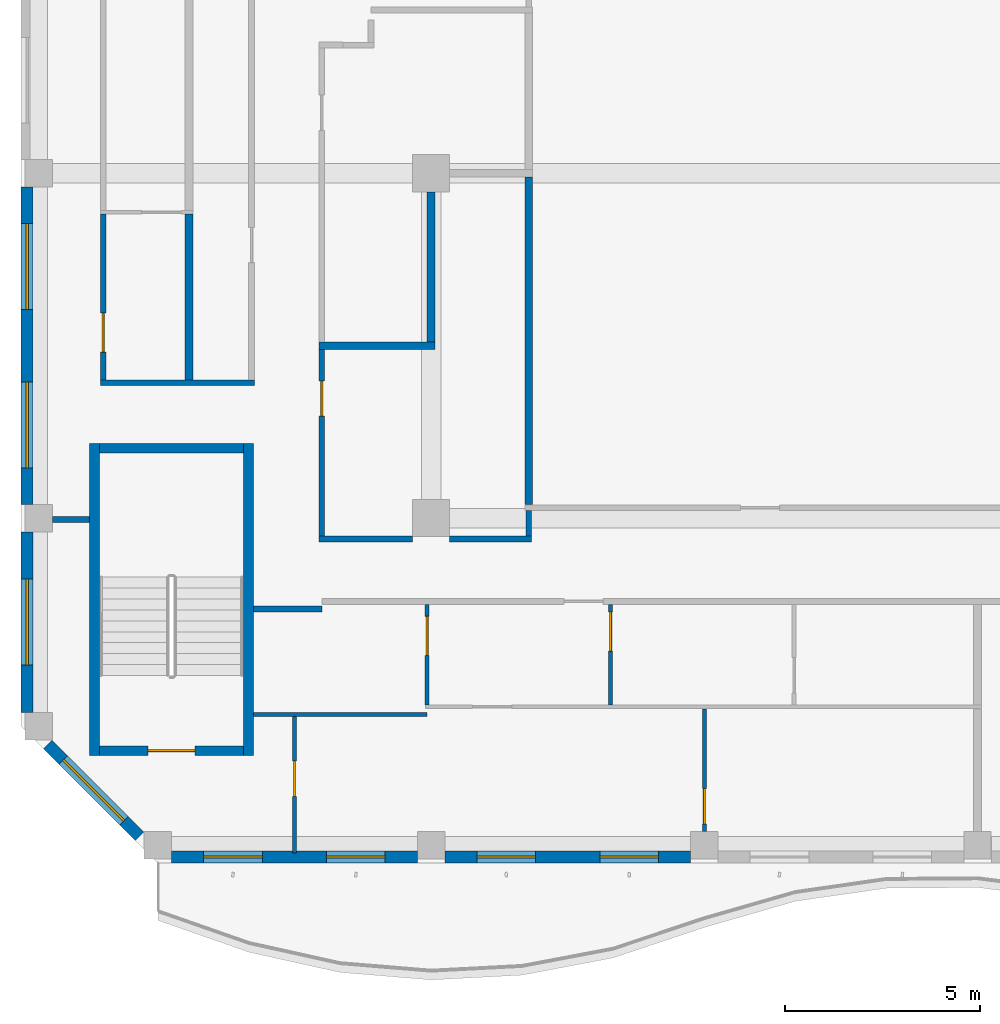
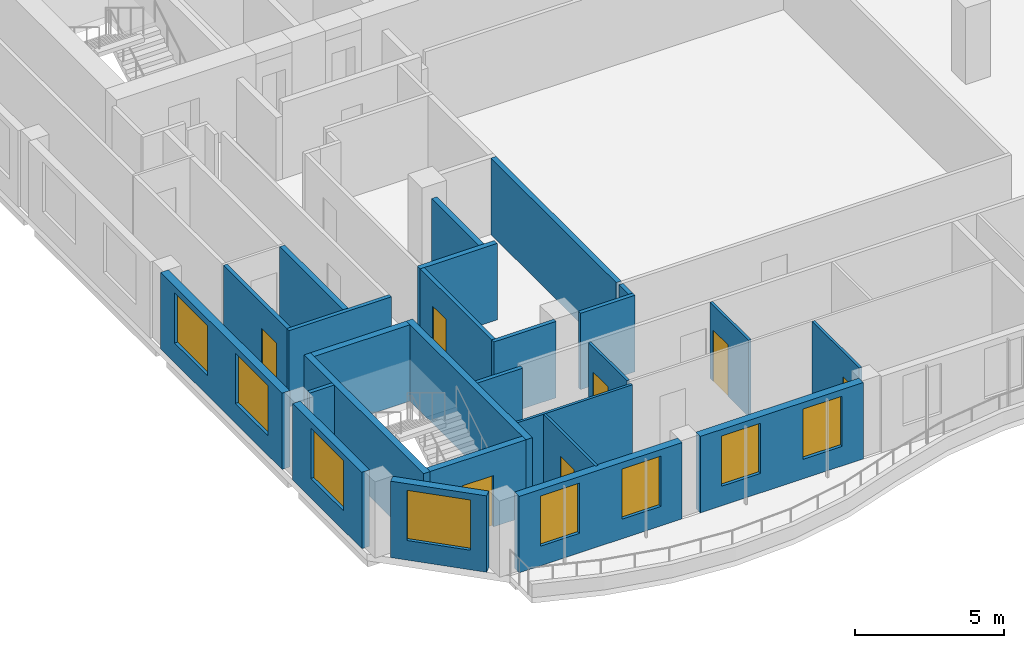
# One storey, part 2 of 19: 26 walls, 8 windows, 7 doors, 15 openings.
"""IFC4 building model written with IfcOpenShell, lengths in metres."""

import ifcopenshell
import ifcopenshell.guid

model = None  # the IFC model being written
_history = None  # IfcOwnerHistory: only IFC2X3 demands one
_inside = {}  # id of a spatial element -> (the spatial element, [elements in it])
_under = {}  # id of a project, library or spatial element -> (it, [spatial elements below it])
_declared = {}  # id of a project -> (the project, [libraries it declares])
_typed = {}  # id of a type object -> (the type object, [elements of that type])
_made_of = {}  # id of a material, layer set ... -> (it, [elements and type objects made of it])


def new_model(schema):
    """Start an empty IFC model of exactly this schema.

    Asked for "IFC4X3", IfcOpenShell would pick the latest addendum, in which some entities
    have other attributes; the version numbers below select the first issue.
    IFC2X3 requires an IfcOwnerHistory on every rooted entity: one is made here for all.
    """
    global model, _history
    if schema == "IFC4X3":
        model = ifcopenshell.file(schema_version=(4, 3, 0, 0))
    else:
        model = ifcopenshell.file(schema=schema)
    _inside.clear()
    _under.clear()
    _declared.clear()
    _typed.clear()
    _made_of.clear()
    _history = None
    if model.schema == "IFC2X3":
        org = make("IfcOrganization", Name="unknown")
        user = make(
            "IfcPersonAndOrganization",
            ThePerson=make("IfcPerson", FamilyName="unknown"),
            TheOrganization=org,
        )
        app = make(
            "IfcApplication",
            ApplicationDeveloper=org,
            Version="unknown",
            ApplicationFullName="unknown",
            ApplicationIdentifier="unknown",
        )
        _history = make(
            "IfcOwnerHistory",
            OwningUser=user,
            OwningApplication=app,
            ChangeAction="ADDED",
            CreationDate=0,
        )
    return model


def make(cls, **values):
    """One entity of the class cls with the attributes given. An attribute that is None is left unset."""
    return model.create_entity(
        cls, **{name: value for name, value in values.items() if value is not None}
    )


def rooted(cls, **values):
    """An entity with a GlobalId (a new one), such as an element, a storey or a relation."""
    return make(cls, GlobalId=ifcopenshell.guid.new(), OwnerHistory=_history, **values)


def si_unit(unit_type, name, prefix=None):
    """IfcSIUnit, for example si_unit("LENGTHUNIT", "METRE", prefix="MILLI")."""
    return make("IfcSIUnit", UnitType=unit_type, Prefix=prefix, Name=name)


def assignment(units):
    """IfcUnitAssignment: the units of a project."""
    return None if units is None else make("IfcUnitAssignment", Units=units)


def point(xyz):
    """IfcCartesianPoint."""
    return None if xyz is None else make("IfcCartesianPoint", Coordinates=xyz)


def direction(xyz):
    """IfcDirection."""
    return None if xyz is None else make("IfcDirection", DirectionRatios=xyz)


def frame(location, z_axis=None, x_axis=None):
    """IfcAxis2Placement3D, a coordinate frame: its origin and axes. An axis left out is left unset."""
    return make(
        "IfcAxis2Placement3D",
        Location=point(location),
        Axis=direction(z_axis),
        RefDirection=direction(x_axis),
    )


def frame_2d(location, x_axis=None):
    """IfcAxis2Placement2D, a coordinate frame in the plane: its origin and x axis."""
    return make(
        "IfcAxis2Placement2D", Location=point(location), RefDirection=direction(x_axis)
    )


def origin():
    """The frame at (0, 0, 0) with its axes left unset."""
    return frame((0.0, 0.0, 0.0))


def place(relative_to, where):
    """IfcLocalPlacement: puts the frame where relative to a parent placement (None: the world)."""
    return make(
        "IfcLocalPlacement", PlacementRelTo=relative_to, RelativePlacement=where
    )


def context(
    kind, dimensions, precision=None, world=None, true_north=None, identifier=None
):
    """IfcGeometricRepresentationContext, for example the 3D "Model" context."""
    return make(
        "IfcGeometricRepresentationContext",
        ContextIdentifier=identifier,
        ContextType=kind,
        CoordinateSpaceDimension=dimensions,
        Precision=precision,
        WorldCoordinateSystem=world,
        TrueNorth=true_north,
    )


def subcontext(parent, identifier, kind, view, scale=None):
    """IfcGeometricRepresentationSubContext, for example "Body" below "Model"."""
    return make(
        "IfcGeometricRepresentationSubContext",
        ContextIdentifier=identifier,
        ContextType=kind,
        ParentContext=parent,
        TargetScale=scale,
        TargetView=view,
    )


def project(units=None, contexts=None):
    """IfcProject with its units and contexts."""
    return rooted(
        "IfcProject",
        Name="project",
        RepresentationContexts=contexts,
        UnitsInContext=assignment(units),
    )


def spatial(cls, under=None, at=None, **own):
    """A site, building, storey or space (cls), placed at a placement, below another one or the project."""
    s = rooted(cls, ObjectPlacement=at, **own)
    if under is not None:
        _under.setdefault(under.id(), (under, []))[1].append(s)
    return s


def profile(cls, at=None, kind="AREA", **sizes):
    """A parametric profile (cls). Its sizes go by their IFC names, for example OverallWidth=200.0."""
    return make(cls, ProfileType=kind, Position=at, **sizes)


def rectangle(**sizes):
    """IfcRectangleProfileDef."""
    return profile("IfcRectangleProfileDef", **sizes)


def extrude(swept, where, along, depth):
    """IfcExtrudedAreaSolid: the profile swept, set in the frame where, extruded along a direction by depth."""
    return make(
        "IfcExtrudedAreaSolid",
        SweptArea=swept,
        Position=where,
        ExtrudedDirection=direction(along),
        Depth=depth,
    )


def shape(context_of_items, identifier, shape_type, items):
    """IfcShapeRepresentation: the items that make up one representation, for example the "Body"."""
    return make(
        "IfcShapeRepresentation",
        ContextOfItems=context_of_items,
        RepresentationIdentifier=identifier,
        RepresentationType=shape_type,
        Items=items,
    )


def source(mapping_origin, context_of_items, identifier, shape_type, items):
    """IfcRepresentationMap: a shape defined once, which mapped items show again and again."""
    return make(
        "IfcRepresentationMap",
        MappingOrigin=mapping_origin,
        MappedRepresentation=shape(context_of_items, identifier, shape_type, items),
    )


def transform(
    local_origin,
    x_axis=None,
    y_axis=None,
    z_axis=None,
    scale=None,
    scale2=None,
    scale3=None,
    uniform=True,
):
    """IfcCartesianTransformationOperator3D, or its non-uniform kind. x_axis, y_axis, z_axis: its Axis1, 2, 3."""
    if uniform:
        return make(
            "IfcCartesianTransformationOperator3D",
            Axis1=direction(x_axis),
            Axis2=direction(y_axis),
            LocalOrigin=point(local_origin),
            Scale=scale,
            Axis3=direction(z_axis),
        )
    return make(
        "IfcCartesianTransformationOperator3DnonUniform",
        Axis1=direction(x_axis),
        Axis2=direction(y_axis),
        LocalOrigin=point(local_origin),
        Scale=scale,
        Axis3=direction(z_axis),
        Scale2=scale2,
        Scale3=scale3,
    )


def mapped(mapping_source, mapping_target):
    """IfcMappedItem: shows the shape of a source again, moved by a transform."""
    return make(
        "IfcMappedItem", MappingSource=mapping_source, MappingTarget=mapping_target
    )


def material(Name=None, Category=None):
    """IfcMaterial."""
    return make("IfcMaterial", Name=Name, Category=Category)


def layer(
    of_material, thickness, ventilated=None, Name=None, Category=None, Priority=None
):
    """IfcMaterialLayer: one layer of a wall or slab, of a material (None: an air gap)."""
    return make(
        "IfcMaterialLayer",
        Material=of_material,
        LayerThickness=thickness,
        IsVentilated=ventilated,
        Name=Name,
        Category=Category,
        Priority=Priority,
    )


def layer_set(layers, Name=None):
    """IfcMaterialLayerSet."""
    return make("IfcMaterialLayerSet", MaterialLayers=layers, LayerSetName=Name)


def made_of(thing, what):
    """Note that an element or type object is made of a material, layer set ...; save() writes the relation."""
    if what is not None:
        _made_of.setdefault(what.id(), (what, []))[1].append(thing)
    return thing


def type_object(cls, material=None, **own):
    """A type object (cls), such as IfcWallType, which elements share."""
    return made_of(rooted(cls, **own), material)


def element(
    cls,
    number,
    at=None,
    inside=None,
    cuts=None,
    type_object=None,
    material=None,
    context=None,
    identifier="Body",
    shape_type=None,
    held_by="IfcProductDefinitionShape",
    body=None,
    shapes=None,
    **own,
):
    """One element of the class cls, such as IfcWall. Its Tag is "e" and its number.

    at: its placement. inside: the storey or other place that contains it. cuts: it is an
    opening in that element (IfcRelVoidsElement). A single representation is given by context,
    identifier, shape_type and body (its items); several are given by shapes. held_by: the class
    of the entity that holds the representations. save() writes the other relations.
    """
    e = rooted(cls, Tag="e%d" % number, ObjectPlacement=at, **own)
    if body is not None:
        shapes = [shape(context, identifier, shape_type, body)]
    if shapes is not None:
        e.Representation = make(held_by, Representations=shapes)
    if inside is not None:
        _inside.setdefault(inside.id(), (inside, []))[1].append(e)
    if cuts is not None:
        rooted(
            "IfcRelVoidsElement", RelatingBuildingElement=cuts, RelatedOpeningElement=e
        )
    if type_object is not None:
        _typed.setdefault(type_object.id(), (type_object, []))[1].append(e)
    return made_of(e, material)


def fill(opening, filler):
    """IfcRelFillsElement: the door or window that sits in an opening."""
    return rooted(
        "IfcRelFillsElement",
        RelatingOpeningElement=opening,
        RelatedBuildingElement=filler,
    )


def aggregate(whole, parts):
    """IfcRelAggregates: a whole, such as a stair, and the parts it consists of."""
    return rooted("IfcRelAggregates", RelatingObject=whole, RelatedObjects=parts)


def save(model, path):
    """Write the relations noted so far, then the file.

    IfcRelAggregates (storeys below a building ...), IfcRelContainedInSpatialStructure (elements
    in a storey), IfcRelDefinesByType, IfcRelAssociatesMaterial and IfcRelDeclares: one each for
    every whole, place, type object, material and project.
    """
    for whole, parts in _under.values():
        aggregate(whole, parts)
    for where, things in _inside.values():
        rooted(
            "IfcRelContainedInSpatialStructure",
            RelatedElements=things,
            RelatingStructure=where,
        )
    for kind, things in _typed.values():
        rooted("IfcRelDefinesByType", RelatedObjects=things, RelatingType=kind)
    for what, things in _made_of.values():
        rooted("IfcRelAssociatesMaterial", RelatedObjects=things, RelatingMaterial=what)
    for by, libraries in _declared.values():
        rooted("IfcRelDeclares", RelatingContext=by, RelatedDefinitions=libraries)
    model.write(path)


model = new_model("IFC4")

# Units and contexts
model_context = context("Model", 3, precision=1e-05, world=origin(), true_north=direction((0.0, 1.0)))
body_context = subcontext(model_context, "Body", "Model", "MODEL_VIEW")
ifc_project = project(units=[si_unit("LENGTHUNIT", "METRE"), si_unit("AREAUNIT", "SQUARE_METRE"), si_unit("VOLUMEUNIT", "CUBIC_METRE"), si_unit("PLANEANGLEUNIT", "RADIAN"), si_unit("MASSUNIT", "GRAM", prefix="KILO")], contexts=[model_context])

# Site, building, storey
site_placement = place(None, origin())
site = spatial("IfcSite", under=ifc_project, at=site_placement, CompositionType="ELEMENT")
building_placement = place(site_placement, origin())
building = spatial("IfcBuilding", under=site, at=building_placement, Name="Kilnfold Tower and Market Hall", CompositionType="ELEMENT")
storey_placement = place(building_placement, frame((0.0, 0.0, 245.800048828125)))
storey = spatial("IfcBuildingStorey", under=building, at=storey_placement, Name="L59", CompositionType="ELEMENT", Elevation=245.800048828125)

# Wall, opening, door
ifc_material_1 = material(Name="Gypsum board on steel studs", Category="steel")
ifc_layer_1 = layer(ifc_material_1, 0.14990234375)
ifc_layer_set_1 = layer_set([ifc_layer_1], Name="Gypsum board on steel studs")
wall_type_1 = type_object("IfcWallType", Name="WALL CORRIDOR 150", PredefinedType="PARTITIONING", material=ifc_layer_set_1)
wall_1_placement = place(storey_placement, frame((-17.39990234375, -6.125, 0.0), z_axis=(0.0, 0.0, 1.0), x_axis=(0.0, 1.0, 0.0)))
wall_1 = element("IfcWall", 1, at=wall_1_placement, inside=storey, type_object=wall_type_1, Name="Partition LY36.1", PredefinedType="PARTITIONING", context=body_context, shape_type="SweptSolid", body=[
    extrude(rectangle(XDim=4.25390625, YDim=0.14990234375, at=frame_2d((2.126953125, 0.0))), origin(), (0.0, 0.0, 1.0), 3.119873046875),
])
opening_1_placement = place(wall_1_placement, frame((0.7099609375, 0.0, 0.0)))
opening_1 = element("IfcOpeningElement", 2, at=opening_1_placement, cuts=wall_1, Name="Opening D1", PredefinedType="OPENING", context=body_context, shape_type="SweptSolid", body=[
    extrude(rectangle(XDim=1.0, YDim=2.10009765625, at=frame_2d((0.5, 1.050048828125))), frame((0.0, 0.0849609375, 0.0), z_axis=(0.0, -1.0, 0.0), x_axis=(1.0, 0.0, 0.0)), (0.0, 0.0, 1.0), 0.169921875),
])
ifc_material_2 = material(Name="Timber veneer door leaf in steel frame", Category="steel")
door_type_1 = type_object("IfcDoorType", Name="DOOR ENTRY 1000 X2100", OperationType="NOTDEFINED", PredefinedType="DOOR", material=ifc_material_2)
door_1_placement = place(opening_1_placement, origin())
door_1 = element("IfcDoor", 3, at=door_1_placement, inside=storey, type_object=door_type_1, Name="Door D1", OperationType="SINGLE_SWING_RIGHT", OverallHeight=2.10009765625, OverallWidth=1.0, PredefinedType="DOOR", context=body_context, shape_type="SweptSolid", body=[
    extrude(rectangle(XDim=1.0, YDim=2.10009765625, at=frame_2d((0.5, 1.050048828125))), frame((0.0, 0.02490234375, 0.0), z_axis=(0.0, -1.0, 0.0), x_axis=(1.0, 0.0, 0.0)), (0.0, 0.0, 1.0), 0.050048828125),
])
fill(opening_1, door_1)

# Walls
wall_2_placement = place(storey_placement, frame((-17.47509765625, -6.199951171875, 0.0), z_axis=(0.0, 0.0, 1.0), x_axis=(1.0, 0.0, 0.0)))
element("IfcWall", 4, at=wall_2_placement, inside=storey, type_object=wall_type_1, Name="Partition LY36.2", PredefinedType="PARTITIONING", context=body_context, shape_type="SweptSolid", body=[
    extrude(rectangle(XDim=3.9501953125, YDim=0.14990234375, at=frame_2d((1.97509765625, 0.0))), origin(), (0.0, 0.0, 1.0), 3.119873046875),
])
wall_3_placement = place(storey_placement, frame((-13.550048828125, -12.0, 0.0), z_axis=(0.0, 0.0, 1.0), x_axis=(1.0, 0.0, 0.0)))
element("IfcWall", 5, at=wall_3_placement, inside=storey, type_object=wall_type_1, Name="Partition LY36.10", PredefinedType="PARTITIONING", context=body_context, shape_type="SweptSolid", body=[
    extrude(rectangle(XDim=1.75, YDim=0.14990234375, at=frame_2d((0.875, 0.0))), origin(), (0.0, 0.0, 1.0), 3.119873046875),
])
wall_4_placement = place(storey_placement, frame((-18.699951171875, -9.699951171875, 0.0), z_axis=(0.0, 0.0, 1.0), x_axis=(1.0, 0.0, 0.0)))
element("IfcWall", 6, at=wall_4_placement, inside=storey, type_object=wall_type_1, Name="Partition LY36.11", PredefinedType="PARTITIONING", context=body_context, shape_type="SweptSolid", body=[
    extrude(rectangle(XDim=0.949951171875, YDim=0.14990234375, at=frame_2d((0.47509765625, 0.0))), origin(), (0.0, 0.0, 1.0), 3.119873046875),
])

# Wall, opening, door
wall_5_placement = place(storey_placement, frame((-11.800048828125, -10.125, 0.0), z_axis=(0.0, 0.0, 1.0), x_axis=(0.0, 1.0, 0.0)))
wall_5 = element("IfcWall", 7, at=wall_5_placement, inside=storey, type_object=wall_type_1, Name="Partition LY36.36", PredefinedType="PARTITIONING", context=body_context, shape_type="SweptSolid", body=[
    extrude(rectangle(XDim=4.784912109375, YDim=0.14990234375, at=frame_2d((2.392578125, 0.0))), origin(), (0.0, 0.0, 1.0), 3.119873046875),
])
opening_2_placement = place(wall_5_placement, frame((3.070068359375, 0.0, 0.0)))
opening_2 = element("IfcOpeningElement", 8, at=opening_2_placement, cuts=wall_5, Name="Opening D2", PredefinedType="OPENING", context=body_context, shape_type="SweptSolid", body=[
    extrude(rectangle(XDim=0.89990234375, YDim=2.10009765625, at=frame_2d((0.449951171875, 1.050048828125))), frame((0.0, 0.0849609375, 0.0), z_axis=(0.0, -1.0, 0.0), x_axis=(1.0, 0.0, 0.0)), (0.0, 0.0, 1.0), 0.169921875),
])
ifc_material_3 = material(Name="Timber veneer door leaf in steel frame", Category="steel")
door_type_2 = type_object("IfcDoorType", Name="DOOR ROOM 900 X2100", OperationType="NOTDEFINED", PredefinedType="DOOR", material=ifc_material_3)
door_2_placement = place(opening_2_placement, origin())
door_2 = element("IfcDoor", 9, at=door_2_placement, inside=storey, type_object=door_type_2, Name="Door D2", OperationType="SINGLE_SWING_LEFT", OverallHeight=2.10009765625, OverallWidth=0.89990234375, PredefinedType="DOOR", context=body_context, shape_type="SweptSolid", body=[
    extrude(rectangle(XDim=0.89990234375, YDim=2.10009765625, at=frame_2d((0.449951171875, 1.050048828125))), frame((0.0, 0.02490234375, 0.0), z_axis=(0.0, -1.0, 0.0), x_axis=(1.0, 0.0, 0.0)), (0.0, 0.0, 1.0), 0.050048828125),
])
fill(opening_2, door_2)

# Walls
wall_6_placement = place(storey_placement, frame((-8.52490234375, -10.199951171875, 0.0), z_axis=(0.0, 0.0, 1.0), x_axis=(1.0, 0.0, 0.0)))
element("IfcWall", 10, at=wall_6_placement, inside=storey, type_object=wall_type_1, Name="Partition LY36.37", PredefinedType="PARTITIONING", context=body_context, shape_type="SweptSolid", body=[
    extrude(rectangle(XDim=2.099853515625, YDim=0.14990234375, at=frame_2d((1.0498046875, 0.0))), origin(), (0.0, 0.0, 1.0), 3.119873046875),
])
wall_7_placement = place(storey_placement, frame((-11.875, -10.199951171875, 0.0), z_axis=(0.0, 0.0, 1.0), x_axis=(1.0, 0.0, 0.0)))
element("IfcWall", 11, at=wall_7_placement, inside=storey, type_object=wall_type_1, Name="Partition LY36.38", PredefinedType="PARTITIONING", context=body_context, shape_type="SweptSolid", body=[
    extrude(rectangle(XDim=2.39990234375, YDim=0.14990234375, at=frame_2d((1.199951171875, 0.0))), origin(), (0.0, 0.0, 1.0), 3.119873046875),
])
wall_8_placement = place(storey_placement, frame((-6.5, -10.125, 0.0), z_axis=(0.0, 0.0, 1.0), x_axis=(0.0, 1.0, 0.0)))
element("IfcWall", 12, at=wall_8_placement, inside=storey, type_object=wall_type_1, Name="Partition LY36.39", PredefinedType="PARTITIONING", context=body_context, shape_type="SweptSolid", body=[
    extrude(rectangle(XDim=0.64990234375, YDim=0.14990234375, at=frame_2d((0.324951171875, 0.0))), origin(), (0.0, 0.0, 1.0), 3.119873046875),
])

# Wall, opening, door
ifc_material_4 = material(Name="Gypsum board on steel studs", Category="steel")
ifc_layer_2 = layer(ifc_material_4, 0.10009765625)
ifc_layer_set_2 = layer_set([ifc_layer_2], Name="Gypsum board on steel studs")
wall_type_2 = type_object("IfcWallType", Name="WALL PARTITION 100", PredefinedType="PARTITIONING", material=ifc_layer_set_2)
wall_9_placement = place(storey_placement, frame((-9.10009765625, -14.4599609375, 0.0), z_axis=(0.0, 0.0, 1.0), x_axis=(0.0, 1.0, 0.0)))
wall_9 = element("IfcWall", 13, at=wall_9_placement, inside=storey, type_object=wall_type_2, Name="Partition LY36.50", PredefinedType="PARTITIONING", context=body_context, shape_type="SweptSolid", body=[
    extrude(rectangle(XDim=2.5830078125, YDim=0.10009765625, at=frame_2d((1.29150390625, 0.0))), origin(), (0.0, 0.0, 1.0), 3.119873046875),
])
opening_3_placement = place(wall_9_placement, frame((1.27490234375, 0.0, 0.0)))
opening_3 = element("IfcOpeningElement", 14, at=opening_3_placement, cuts=wall_9, Name="Opening D1", PredefinedType="OPENING", context=body_context, shape_type="SweptSolid", body=[
    extrude(rectangle(XDim=1.0, YDim=2.10009765625, at=frame_2d((0.5, 1.050048828125))), frame((0.0, 0.06005859375, 0.0), z_axis=(0.0, -1.0, 0.0), x_axis=(1.0, 0.0, 0.0)), (0.0, 0.0, 1.0), 0.1201171875),
])
door_3_placement = place(opening_3_placement, origin())
door_3 = element("IfcDoor", 15, at=door_3_placement, inside=storey, type_object=door_type_1, Name="Door D1", OperationType="SINGLE_SWING_RIGHT", OverallHeight=2.10009765625, OverallWidth=1.0, PredefinedType="DOOR", context=body_context, shape_type="SweptSolid", body=[
    extrude(rectangle(XDim=1.0, YDim=2.10009765625, at=frame_2d((0.5, 1.050048828125))), frame((0.0, 0.02490234375, 0.0), z_axis=(0.0, -1.0, 0.0), x_axis=(1.0, 0.0, 0.0)), (0.0, 0.0, 1.0), 0.050048828125),
])
fill(opening_3, door_3)

# Wall
wall_10_placement = place(storey_placement, frame((-13.550048828125, -14.699951171875, 0.0), z_axis=(0.0, 0.0, 1.0), x_axis=(1.0, 0.0, 0.0)))
element("IfcWall", 16, at=wall_10_placement, inside=storey, type_object=wall_type_2, Name="Partition LY36.51", PredefinedType="PARTITIONING", context=body_context, shape_type="SweptSolid", body=[
    extrude(rectangle(XDim=4.449951171875, YDim=0.10009765625, at=frame_2d((2.22509765625, 0.0))), origin(), (0.0, 0.0, 1.0), 3.119873046875),
])

# Wall, opening, door
wall_11_placement = place(storey_placement, frame((-4.39990234375, -14.449951171875, 0.0), z_axis=(0.0, 0.0, 1.0), x_axis=(0.0, 1.0, 0.0)))
wall_11 = element("IfcWall", 17, at=wall_11_placement, inside=storey, type_object=wall_type_2, Name="Partition LY36.52", PredefinedType="PARTITIONING", context=body_context, shape_type="SweptSolid", body=[
    extrude(rectangle(XDim=2.572998046875, YDim=0.10009765625, at=frame_2d((1.28662109375, 0.0))), origin(), (0.0, 0.0, 1.0), 3.119873046875),
])
opening_4_placement = place(wall_11_placement, frame((1.373046875, 0.0, 0.0)))
opening_4 = element("IfcOpeningElement", 18, at=opening_4_placement, cuts=wall_11, Name="Opening D1", PredefinedType="OPENING", context=body_context, shape_type="SweptSolid", body=[
    extrude(rectangle(XDim=1.0, YDim=2.10009765625, at=frame_2d((0.5, 1.050048828125))), frame((0.0, 0.06005859375, 0.0), z_axis=(0.0, -1.0, 0.0), x_axis=(1.0, 0.0, 0.0)), (0.0, 0.0, 1.0), 0.1201171875),
])
door_4_placement = place(opening_4_placement, origin())
door_4 = element("IfcDoor", 19, at=door_4_placement, inside=storey, type_object=door_type_1, Name="Door D1", OperationType="SINGLE_SWING_RIGHT", OverallHeight=2.10009765625, OverallWidth=1.0, PredefinedType="DOOR", context=body_context, shape_type="SweptSolid", body=[
    extrude(rectangle(XDim=1.0, YDim=2.10009765625, at=frame_2d((0.5, 1.050048828125))), frame((0.0, 0.02490234375, 0.0), z_axis=(0.0, -1.0, 0.0), x_axis=(1.0, 0.0, 0.0)), (0.0, 0.0, 1.0), 0.050048828125),
])
fill(opening_4, door_4)

wall_12_placement = place(storey_placement, frame((-12.5, -18.25, 0.0), z_axis=(0.0, 0.0, 1.0), x_axis=(0.0, 1.0, 0.0)))
wall_12 = element("IfcWall", 20, at=wall_12_placement, inside=storey, type_object=wall_type_2, Name="Partition LY36.56", PredefinedType="PARTITIONING", context=body_context, shape_type="SweptSolid", body=[
    extrude(rectangle(XDim=3.498046875, YDim=0.10009765625, at=frame_2d((1.7490234375, 0.0))), origin(), (0.0, 0.0, 1.0), 3.119873046875),
])
opening_5_placement = place(wall_12_placement, frame((1.4560546875, 0.0, 0.0)))
opening_5 = element("IfcOpeningElement", 21, at=opening_5_placement, cuts=wall_12, Name="Opening D2", PredefinedType="OPENING", context=body_context, shape_type="SweptSolid", body=[
    extrude(rectangle(XDim=0.89990234375, YDim=2.10009765625, at=frame_2d((0.449951171875, 1.050048828125))), frame((0.0, 0.06005859375, 0.0), z_axis=(0.0, -1.0, 0.0), x_axis=(1.0, 0.0, 0.0)), (0.0, 0.0, 1.0), 0.1201171875),
])
door_5_placement = place(opening_5_placement, origin())
door_5 = element("IfcDoor", 22, at=door_5_placement, inside=storey, type_object=door_type_2, Name="Door D2", OperationType="SINGLE_SWING_RIGHT", OverallHeight=2.10009765625, OverallWidth=0.89990234375, PredefinedType="DOOR", context=body_context, shape_type="SweptSolid", body=[
    extrude(rectangle(XDim=0.89990234375, YDim=2.10009765625, at=frame_2d((0.449951171875, 1.050048828125))), frame((0.0, 0.02490234375, 0.0), z_axis=(0.0, -1.0, 0.0), x_axis=(1.0, 0.0, 0.0)), (0.0, 0.0, 1.0), 0.050048828125),
])
fill(opening_5, door_5)

wall_13_placement = place(storey_placement, frame((-2.0, -17.699951171875, 0.0), z_axis=(0.0, 0.0, 1.0), x_axis=(0.0, 1.0, 0.0)))
wall_13 = element("IfcWall", 23, at=wall_13_placement, inside=storey, type_object=wall_type_2, Name="Partition LY36.57", PredefinedType="PARTITIONING", context=body_context, shape_type="SweptSolid", body=[
    extrude(rectangle(XDim=3.14794921875, YDim=0.10009765625, at=frame_2d((1.573974609375, 0.0))), origin(), (0.0, 0.0, 1.0), 3.119873046875),
])
opening_6_placement = place(wall_13_placement, frame((0.199951171875, 0.0, 0.0)))
opening_6 = element("IfcOpeningElement", 24, at=opening_6_placement, cuts=wall_13, Name="Opening D2", PredefinedType="OPENING", context=body_context, shape_type="SweptSolid", body=[
    extrude(rectangle(XDim=0.89990234375, YDim=2.10009765625, at=frame_2d((0.449951171875, 1.050048828125))), frame((0.0, 0.06005859375, 0.0), z_axis=(0.0, -1.0, 0.0), x_axis=(1.0, 0.0, 0.0)), (0.0, 0.0, 1.0), 0.1201171875),
])
door_6_placement = place(opening_6_placement, origin())
door_6 = element("IfcDoor", 25, at=door_6_placement, inside=storey, type_object=door_type_2, Name="Door D2", OperationType="SINGLE_SWING_LEFT", OverallHeight=2.10009765625, OverallWidth=0.89990234375, PredefinedType="DOOR", context=body_context, shape_type="SweptSolid", body=[
    extrude(rectangle(XDim=0.89990234375, YDim=2.10009765625, at=frame_2d((0.449951171875, 1.050048828125))), frame((0.0, 0.02490234375, 0.0), z_axis=(0.0, -1.0, 0.0), x_axis=(1.0, 0.0, 0.0)), (0.0, 0.0, 1.0), 0.050048828125),
])
fill(opening_6, door_6)

# Walls
ifc_material_5 = material(Name="Gypsum board on steel studs", Category="steel")
ifc_layer_3 = layer(ifc_material_5, 0.199951171875)
ifc_layer_set_3 = layer_set([ifc_layer_3], Name="Gypsum board on steel studs")
wall_type_3 = type_object("IfcWallType", Name="WALL PARTY 200", PredefinedType="PARTITIONING", material=ifc_layer_set_3)
wall_14_placement = place(storey_placement, frame((-15.199951171875, -6.123046875, 0.0), z_axis=(0.0, 0.0, 1.0), x_axis=(0.0, 1.0, 0.0)))
element("IfcWall", 26, at=wall_14_placement, inside=storey, type_object=wall_type_3, Name="Partition LY36.45", PredefinedType="PARTITIONING", context=body_context, shape_type="SweptSolid", body=[
    extrude(rectangle(XDim=4.241943359375, YDim=0.199951171875, at=frame_2d((2.12109375, 0.0))), origin(), (0.0, 0.0, 1.0), 3.119873046875),
])
wall_15_placement = place(storey_placement, frame((-9.0, -5.14990234375, 0.0), z_axis=(0.0, 0.0, 1.0), x_axis=(0.0, 1.0, 0.0)))
element("IfcWall", 27, at=wall_15_placement, inside=storey, type_object=wall_type_3, Name="Partition LY36.102", PredefinedType="PARTITIONING", context=body_context, shape_type="SweptSolid", body=[
    extrude(rectangle(XDim=3.841796875, YDim=0.199951171875, at=frame_2d((1.9208984375, 0.0))), origin(), (0.0, 0.0, 1.0), 2.570068359375),
])
wall_16_placement = place(storey_placement, frame((-11.873046875, -5.25, 0.0), z_axis=(0.0, 0.0, 1.0), x_axis=(1.0, 0.0, 0.0)))
element("IfcWall", 28, at=wall_16_placement, inside=storey, type_object=wall_type_3, Name="Partition LY36.103", PredefinedType="PARTITIONING", context=body_context, shape_type="SweptSolid", body=[
    extrude(rectangle(XDim=2.97314453125, YDim=0.199951171875, at=frame_2d((1.486572265625, 0.0))), origin(), (0.0, 0.0, 1.0), 3.119873046875),
])
wall_17_placement = place(storey_placement, frame((-6.5, -9.322998046875, 0.0), z_axis=(0.0, 0.0, 1.0), x_axis=(0.0, 1.0, 0.0)))
element("IfcWall", 29, at=wall_17_placement, inside=storey, type_object=wall_type_3, Name="Partition LY36.105", PredefinedType="PARTITIONING", context=body_context, shape_type="SweptSolid", body=[
    extrude(rectangle(XDim=8.389892578125, YDim=0.199951171875, at=frame_2d((4.19482421875, 0.0))), origin(), (0.0, 0.0, 1.0), 3.119873046875),
])

# Wall, opening, door
ifc_material_6 = material(Name="Concrete C60", Category="concrete")
ifc_layer_4 = layer(ifc_material_6, 0.25)
ifc_layer_set_4 = layer_set([ifc_layer_4], Name="Concrete C60")
wall_type_4 = type_object("IfcWallType", Name="CORE WALL 250 C60", PredefinedType="SHEAR", material=ifc_layer_set_4)
shared_shape_1 = source(origin(), body_context, "Body", "SweptSolid", [
    extrude(rectangle(XDim=3.699951171875, YDim=0.25, at=frame_2d((1.85009765625, 0.0))), origin(), (0.0, 0.0, 1.0), 3.119873046875),
])
wall_18_placement = place(storey_placement, frame((-17.5, -15.625, 0.0), z_axis=(0.0, 0.0, 1.0), x_axis=(1.0, 0.0, 0.0)))
wall_18 = element("IfcWall", 30, at=wall_18_placement, inside=storey, type_object=wall_type_4, Name="Stair enclosure ST3", PredefinedType="SHEAR", context=body_context, shape_type="MappedRepresentation", body=[
    mapped(shared_shape_1, transform((0.0, 0.0, 0.0))),
])
opening_7_placement = place(wall_18_placement, frame((1.25, 0.0, 0.0)))
opening_7 = element("IfcOpeningElement", 31, at=opening_7_placement, cuts=wall_18, Name="Opening SD1", PredefinedType="OPENING", context=body_context, shape_type="SweptSolid", body=[
    extrude(rectangle(XDim=1.199951171875, YDim=2.10009765625, at=frame_2d((0.60009765625, 1.050048828125))), frame((0.0, 0.135009765625, 0.0), z_axis=(0.0, -1.0, 0.0), x_axis=(1.0, 0.0, 0.0)), (0.0, 0.0, 1.0), 0.27001953125),
])
ifc_material_7 = material(Name="Steel door set with fire-resisting leaf", Category="steel")
door_type_3 = type_object("IfcDoorType", Name="STAIR FLOOR DOOR 1200X2100", OperationType="NOTDEFINED", PredefinedType="DOOR", material=ifc_material_7)
door_7_placement = place(opening_7_placement, origin())
door_7 = element("IfcDoor", 32, at=door_7_placement, inside=storey, type_object=door_type_3, Name="Exit stair ST3 door", OperationType="DOUBLE_DOOR_SINGLE_SWING", OverallHeight=2.10009765625, OverallWidth=1.199951171875, PredefinedType="DOOR", context=body_context, shape_type="SweptSolid", body=[
    extrude(rectangle(XDim=1.199951171875, YDim=2.10009765625, at=frame_2d((0.60009765625, 1.050048828125))), frame((0.0, 0.02490234375, 0.0), z_axis=(0.0, -1.0, 0.0), x_axis=(1.0, 0.0, 0.0)), (0.0, 0.0, 1.0), 0.050048828125),
])
fill(opening_7, door_7)

# Walls
wall_19_placement = place(storey_placement, frame((-17.5, -7.875, 0.0), z_axis=(0.0, 0.0, 1.0), x_axis=(1.0, 0.0, 0.0)))
element("IfcWall", 33, at=wall_19_placement, inside=storey, type_object=wall_type_4, Name="Stair enclosure ST3", PredefinedType="SHEAR", context=body_context, shape_type="MappedRepresentation", body=[
    mapped(shared_shape_1, transform((0.0, 0.0, 0.0))),
])
shared_shape_2 = source(origin(), body_context, "Body", "SweptSolid", [
    extrude(rectangle(XDim=8.0, YDim=0.25, at=frame_2d((4.0, 0.0))), origin(), (0.0, 0.0, 1.0), 3.119873046875),
])
for number, where, z_axis, x_axis, name in (
    (34, (-17.625, -15.75, 0.0), (0.0, 0.0, 1.0), (0.0, 1.0, 0.0), "Stair enclosure ST3"),
    (35, (-13.675048828125, -15.75, 0.0), (0.0, 0.0, 1.0), (0.0, 1.0, 0.0), "Stair enclosure ST3"),
):
    element("IfcWall", number, at=place(storey_placement, frame(where, z_axis=z_axis, x_axis=x_axis)), inside=storey, type_object=wall_type_4, Name=name, PredefinedType="SHEAR", context=body_context, shape_type="MappedRepresentation", body=[
        mapped(shared_shape_2, transform((0.0, 0.0, 0.0))),
    ])

# Wall, openings, windows
ifc_material_8 = material(Name="Precast concrete C50/60", Category="concrete")
ifc_layer_5 = layer(ifc_material_8, 0.300048828125)
ifc_layer_set_5 = layer_set([ifc_layer_5], Name="Precast concrete C50/60")
wall_type_5 = type_object("IfcWallType", Name="PRECAST WALL 300", PredefinedType="SOLIDWALL", material=ifc_layer_set_5)
shared_shape_3 = source(origin(), body_context, "Body", "SweptSolid", [
    extrude(rectangle(XDim=6.2998046875, YDim=0.300048828125, at=frame_2d((3.14990234375, 0.0))), origin(), (0.0, 0.0, 1.0), 3.119873046875),
])
wall_20_placement = place(storey_placement, frame((-15.64990234375, -18.35009765625, 0.0), z_axis=(0.0, 0.0, 1.0), x_axis=(1.0, 0.0, 0.0)))
wall_20 = element("IfcWall", 36, at=wall_20_placement, inside=storey, type_object=wall_type_5, Name="External wall L59 S", PredefinedType="SOLIDWALL", context=body_context, shape_type="MappedRepresentation", body=[
    mapped(shared_shape_3, transform((0.0, 0.0, 0.0))),
])
opening_8_placement = place(wall_20_placement, frame((0.824951171875, 0.0, 0.800048828125)))
opening_8 = element("IfcOpeningElement", 37, at=opening_8_placement, cuts=wall_20, Name="Opening W5", PredefinedType="OPENING", context=body_context, shape_type="SweptSolid", body=[
    extrude(rectangle(XDim=1.5, YDim=2.050048828125, at=frame_2d((0.75, 1.02490234375))), frame((0.0, 0.16015625, 0.0), z_axis=(0.0, -1.0, 0.0), x_axis=(1.0, 0.0, 0.0)), (0.0, 0.0, 1.0), 0.320068359375),
])
opening_9_placement = place(wall_20_placement, frame((3.97509765625, 0.0, 0.800048828125)))
opening_9 = element("IfcOpeningElement", 38, at=opening_9_placement, cuts=wall_20, Name="Opening W5", PredefinedType="OPENING", context=body_context, shape_type="SweptSolid", body=[
    extrude(rectangle(XDim=1.5, YDim=2.050048828125, at=frame_2d((0.75, 1.02490234375))), frame((0.0, 0.16015625, 0.0), z_axis=(0.0, -1.0, 0.0), x_axis=(1.0, 0.0, 0.0)), (0.0, 0.0, 1.0), 0.320068359375),
])
ifc_material_9 = material(Name="Aluminium frame and double glazing", Category="aluminium")
window_type_1 = type_object("IfcWindowType", Name="WINDOW W5 1500X2050", PartitioningType="SINGLE_PANEL", PredefinedType="WINDOW", material=ifc_material_9)
window_1_placement = place(opening_8_placement, origin())
window_1 = element("IfcWindow", 39, at=window_1_placement, inside=storey, type_object=window_type_1, Name="Window W5 L59 S-1", OverallHeight=2.050048828125, OverallWidth=1.5, PartitioningType="SINGLE_PANEL", PredefinedType="WINDOW", context=body_context, shape_type="SweptSolid", body=[
    extrude(rectangle(XDim=1.5, YDim=2.050048828125, at=frame_2d((0.75, 1.02490234375))), frame((0.0, 0.030029296875, 0.0), z_axis=(0.0, -1.0, 0.0), x_axis=(1.0, 0.0, 0.0)), (0.0, 0.0, 1.0), 0.06005859375),
])
fill(opening_8, window_1)
window_2_placement = place(opening_9_placement, origin())
window_2 = element("IfcWindow", 40, at=window_2_placement, inside=storey, type_object=window_type_1, Name="Window W5 L59 S-2", OverallHeight=2.050048828125, OverallWidth=1.5, PartitioningType="SINGLE_PANEL", PredefinedType="WINDOW", context=body_context, shape_type="SweptSolid", body=[
    extrude(rectangle(XDim=1.5, YDim=2.050048828125, at=frame_2d((0.75, 1.02490234375))), frame((0.0, 0.030029296875, 0.0), z_axis=(0.0, -1.0, 0.0), x_axis=(1.0, 0.0, 0.0)), (0.0, 0.0, 1.0), 0.06005859375),
])
fill(opening_9, window_2)

wall_21_placement = place(storey_placement, frame((-8.64990234375, -18.35009765625, 0.0), z_axis=(0.0, 0.0, 1.0), x_axis=(1.0, 0.0, 0.0)))
wall_21 = element("IfcWall", 41, at=wall_21_placement, inside=storey, type_object=wall_type_5, Name="External wall L59 S", PredefinedType="SOLIDWALL", context=body_context, shape_type="MappedRepresentation", body=[
    mapped(shared_shape_3, transform((0.0, 0.0, 0.0))),
])
opening_10_placement = place(wall_21_placement, frame((0.824951171875, 0.0, 0.800048828125)))
opening_10 = element("IfcOpeningElement", 42, at=opening_10_placement, cuts=wall_21, Name="Opening W5", PredefinedType="OPENING", context=body_context, shape_type="SweptSolid", body=[
    extrude(rectangle(XDim=1.5, YDim=2.050048828125, at=frame_2d((0.75, 1.02490234375))), frame((0.0, 0.16015625, 0.0), z_axis=(0.0, -1.0, 0.0), x_axis=(1.0, 0.0, 0.0)), (0.0, 0.0, 1.0), 0.320068359375),
])
opening_11_placement = place(wall_21_placement, frame((3.97509765625, 0.0, 0.800048828125)))
opening_11 = element("IfcOpeningElement", 43, at=opening_11_placement, cuts=wall_21, Name="Opening W5", PredefinedType="OPENING", context=body_context, shape_type="SweptSolid", body=[
    extrude(rectangle(XDim=1.5, YDim=2.050048828125, at=frame_2d((0.75, 1.02490234375))), frame((0.0, 0.16015625, 0.0), z_axis=(0.0, -1.0, 0.0), x_axis=(1.0, 0.0, 0.0)), (0.0, 0.0, 1.0), 0.320068359375),
])
window_3_placement = place(opening_10_placement, origin())
window_3 = element("IfcWindow", 44, at=window_3_placement, inside=storey, type_object=window_type_1, Name="Window W5 L59 S-1", OverallHeight=2.050048828125, OverallWidth=1.5, PartitioningType="SINGLE_PANEL", PredefinedType="WINDOW", context=body_context, shape_type="SweptSolid", body=[
    extrude(rectangle(XDim=1.5, YDim=2.050048828125, at=frame_2d((0.75, 1.02490234375))), frame((0.0, 0.030029296875, 0.0), z_axis=(0.0, -1.0, 0.0), x_axis=(1.0, 0.0, 0.0)), (0.0, 0.0, 1.0), 0.06005859375),
])
fill(opening_10, window_3)
window_4_placement = place(opening_11_placement, origin())
window_4 = element("IfcWindow", 45, at=window_4_placement, inside=storey, type_object=window_type_1, Name="Window W5 L59 S-2", OverallHeight=2.050048828125, OverallWidth=1.5, PartitioningType="SINGLE_PANEL", PredefinedType="WINDOW", context=body_context, shape_type="SweptSolid", body=[
    extrude(rectangle(XDim=1.5, YDim=2.050048828125, at=frame_2d((0.75, 1.02490234375))), frame((0.0, 0.030029296875, 0.0), z_axis=(0.0, -1.0, 0.0), x_axis=(1.0, 0.0, 0.0)), (0.0, 0.0, 1.0), 0.06005859375),
])
fill(opening_11, window_4)

shared_shape_4 = source(origin(), body_context, "Body", "SweptSolid", [
    extrude(rectangle(XDim=8.13330078125, YDim=0.300048828125, at=frame_2d((4.066650390625, 0.0))), origin(), (0.0, 0.0, 1.0), 3.119873046875),
])
wall_22_placement = place(storey_placement, frame((-19.35009765625, -1.183349609375, 0.0), z_axis=(0.0, 0.0, 1.0), x_axis=(0.0, -1.0, 0.0)))
wall_22 = element("IfcWall", 46, at=wall_22_placement, inside=storey, type_object=wall_type_5, Name="External wall L59 W", PredefinedType="SOLIDWALL", context=body_context, shape_type="MappedRepresentation", body=[
    mapped(shared_shape_4, transform((0.0, 0.0, 0.0))),
])
opening_12_placement = place(wall_22_placement, frame((0.933349609375, 0.0, 0.800048828125)))
opening_12 = element("IfcOpeningElement", 47, at=opening_12_placement, cuts=wall_22, Name="Opening W3", PredefinedType="OPENING", context=body_context, shape_type="SweptSolid", body=[
    extrude(rectangle(XDim=2.199951171875, YDim=2.050048828125, at=frame_2d((1.10009765625, 1.02490234375))), frame((0.0, 0.16015625, 0.0), z_axis=(0.0, -1.0, 0.0), x_axis=(1.0, 0.0, 0.0)), (0.0, 0.0, 1.0), 0.320068359375),
])
opening_13_placement = place(wall_22_placement, frame((5.0, 0.0, 0.800048828125)))
opening_13 = element("IfcOpeningElement", 48, at=opening_13_placement, cuts=wall_22, Name="Opening W3", PredefinedType="OPENING", context=body_context, shape_type="SweptSolid", body=[
    extrude(rectangle(XDim=2.199951171875, YDim=2.050048828125, at=frame_2d((1.10009765625, 1.02490234375))), frame((0.0, 0.16015625, 0.0), z_axis=(0.0, -1.0, 0.0), x_axis=(1.0, 0.0, 0.0)), (0.0, 0.0, 1.0), 0.320068359375),
])
ifc_material_10 = material(Name="Aluminium frame and double glazing", Category="aluminium")
window_type_2 = type_object("IfcWindowType", Name="WINDOW W3 2200X2050", PartitioningType="SINGLE_PANEL", PredefinedType="WINDOW", material=ifc_material_10)
window_5_placement = place(opening_12_placement, origin())
window_5 = element("IfcWindow", 49, at=window_5_placement, inside=storey, type_object=window_type_2, Name="Window W3 L59 W-1", OverallHeight=2.050048828125, OverallWidth=2.199951171875, PartitioningType="SINGLE_PANEL", PredefinedType="WINDOW", context=body_context, shape_type="SweptSolid", body=[
    extrude(rectangle(XDim=2.199951171875, YDim=2.050048828125, at=frame_2d((1.10009765625, 1.02490234375))), frame((0.0, 0.030029296875, 0.0), z_axis=(0.0, -1.0, 0.0), x_axis=(1.0, 0.0, 0.0)), (0.0, 0.0, 1.0), 0.06005859375),
])
fill(opening_12, window_5)
window_6_placement = place(opening_13_placement, origin())
window_6 = element("IfcWindow", 50, at=window_6_placement, inside=storey, type_object=window_type_2, Name="Window W3 L59 W-2", OverallHeight=2.050048828125, OverallWidth=2.199951171875, PartitioningType="SINGLE_PANEL", PredefinedType="WINDOW", context=body_context, shape_type="SweptSolid", body=[
    extrude(rectangle(XDim=2.199951171875, YDim=2.050048828125, at=frame_2d((1.10009765625, 1.02490234375))), frame((0.0, 0.030029296875, 0.0), z_axis=(0.0, -1.0, 0.0), x_axis=(1.0, 0.0, 0.0)), (0.0, 0.0, 1.0), 0.06005859375),
])
fill(opening_13, window_6)

# Wall, opening, window
shared_shape_5 = source(origin(), body_context, "Body", "SweptSolid", [
    extrude(rectangle(XDim=4.63330078125, YDim=0.300048828125, at=frame_2d((2.316650390625, 0.0))), origin(), (0.0, 0.0, 1.0), 3.119873046875),
])
wall_23_placement = place(storey_placement, frame((-19.35009765625, -10.0166015625, 0.0), z_axis=(0.0, 0.0, 1.0), x_axis=(0.0, -1.0, 0.0)))
wall_23 = element("IfcWall", 51, at=wall_23_placement, inside=storey, type_object=wall_type_5, Name="External wall L59 W", PredefinedType="SOLIDWALL", context=body_context, shape_type="MappedRepresentation", body=[
    mapped(shared_shape_5, transform((0.0, 0.0, 0.0))),
])
opening_14_placement = place(wall_23_placement, frame((1.216552734375, 0.0, 0.800048828125)))
opening_14 = element("IfcOpeningElement", 52, at=opening_14_placement, cuts=wall_23, Name="Opening W3", PredefinedType="OPENING", context=body_context, shape_type="SweptSolid", body=[
    extrude(rectangle(XDim=2.199951171875, YDim=2.050048828125, at=frame_2d((1.10009765625, 1.02490234375))), frame((0.0, 0.16015625, 0.0), z_axis=(0.0, -1.0, 0.0), x_axis=(1.0, 0.0, 0.0)), (0.0, 0.0, 1.0), 0.320068359375),
])
window_7_placement = place(opening_14_placement, origin())
window_7 = element("IfcWindow", 53, at=window_7_placement, inside=storey, type_object=window_type_2, Name="Window W3 L59 W-1", OverallHeight=2.050048828125, OverallWidth=2.199951171875, PartitioningType="SINGLE_PANEL", PredefinedType="WINDOW", context=body_context, shape_type="SweptSolid", body=[
    extrude(rectangle(XDim=2.199951171875, YDim=2.050048828125, at=frame_2d((1.10009765625, 1.02490234375))), frame((0.0, 0.030029296875, 0.0), z_axis=(0.0, -1.0, 0.0), x_axis=(1.0, 0.0, 0.0)), (0.0, 0.0, 1.0), 0.06005859375),
])
fill(opening_14, window_7)

shared_shape_6 = source(origin(), body_context, "Body", "SweptSolid", [
    extrude(rectangle(XDim=3.323486328125, YDim=0.300048828125, at=frame_2d((1.66162109375, 0.0))), origin(), (0.0, 0.0, 1.0), 3.119873046875),
])
wall_24_placement = place(storey_placement, frame((-18.81884765625, -15.468994140625, 0.0), z_axis=(0.0, 0.0, 1.0), x_axis=(0.707070049321, -0.707143511144, 0.0)))
wall_24 = element("IfcWall", 54, at=wall_24_placement, inside=storey, type_object=wall_type_5, Name="External wall L59 SW", PredefinedType="SOLIDWALL", context=body_context, shape_type="MappedRepresentation", body=[
    mapped(shared_shape_6, transform((0.0, 0.0, 0.0))),
])
opening_15_placement = place(wall_24_placement, frame((0.561767578125, 0.0, 0.800048828125)))
opening_15 = element("IfcOpeningElement", 55, at=opening_15_placement, cuts=wall_24, Name="Opening W3", PredefinedType="OPENING", context=body_context, shape_type="SweptSolid", body=[
    extrude(rectangle(XDim=2.199951171875, YDim=2.050048828125, at=frame_2d((1.10009765625, 1.02490234375))), frame((0.0, 0.16015625, 0.0), z_axis=(0.0, -1.0, 0.0), x_axis=(1.0, 0.0, 0.0)), (0.0, 0.0, 1.0), 0.320068359375),
])
window_8_placement = place(opening_15_placement, origin())
window_8 = element("IfcWindow", 56, at=window_8_placement, inside=storey, type_object=window_type_2, Name="Window W3 L59 SW-1", OverallHeight=2.050048828125, OverallWidth=2.199951171875, PartitioningType="SINGLE_PANEL", PredefinedType="WINDOW", context=body_context, shape_type="SweptSolid", body=[
    extrude(rectangle(XDim=2.199951171875, YDim=2.050048828125, at=frame_2d((1.10009765625, 1.02490234375))), frame((0.0, 0.030029296875, 0.0), z_axis=(0.0, -1.0, 0.0), x_axis=(1.0, 0.0, 0.0)), (0.0, 0.0, 1.0), 0.06005859375),
])
fill(opening_15, window_8)

save(model, "model.ifc")
